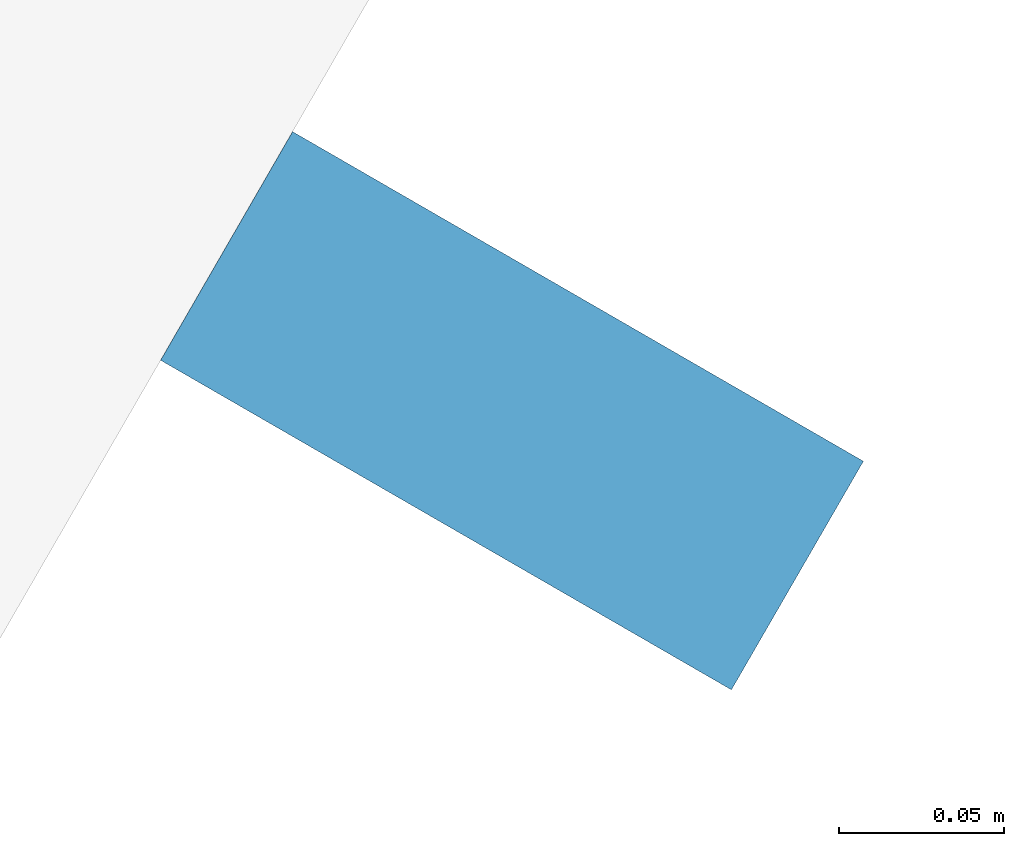
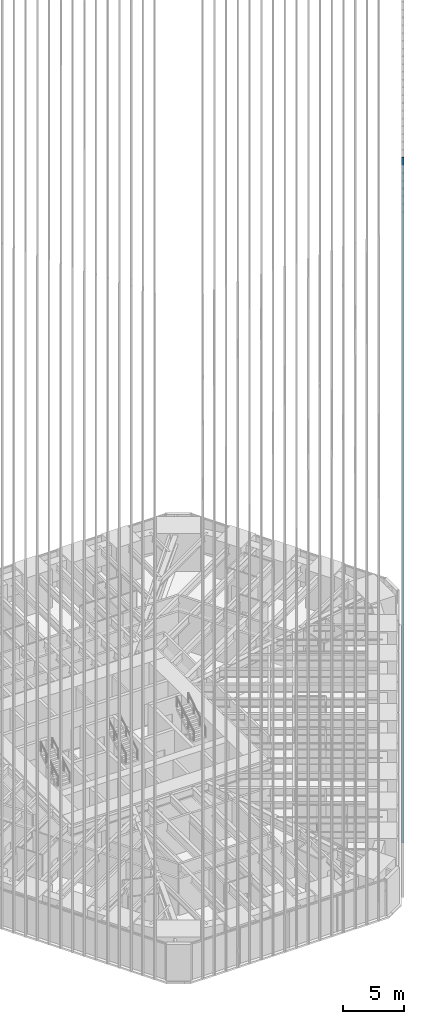
# One storey, part 91 of 256: 1 member, 1 element without a shape of its own.
"""IFC4 building model written with IfcOpenShell, lengths in metres."""

from ifc_helpers import new_model, si_unit, direction, frame, origin, origin_2d, place, context, subcontext, project, spatial, rectangle, extrude, material, material_profile, profile_set, type_object, element, aggregate, save


model = new_model("IFC4")

# Units and contexts
model_context = context("Model", 3, precision=1e-05, world=origin(), true_north=direction((0.0, 1.0)))
body_context = subcontext(model_context, "Body", "Model", "MODEL_VIEW")
ifc_project = project(units=[si_unit("LENGTHUNIT", "METRE"), si_unit("AREAUNIT", "SQUARE_METRE"), si_unit("VOLUMEUNIT", "CUBIC_METRE"), si_unit("PLANEANGLEUNIT", "RADIAN"), si_unit("MASSUNIT", "GRAM", prefix="KILO")], contexts=[model_context])

# Site, building, storey
site_placement = place(None, origin())
site = spatial("IfcSite", under=ifc_project, at=site_placement, CompositionType="ELEMENT")
building_placement = place(site_placement, origin())
building = spatial("IfcBuilding", under=site, at=building_placement, Name="Sandreach Pilgrim Tower", CompositionType="ELEMENT")
storey_placement = place(building_placement, frame((0.0, 0.0, 23.0)))
storey = spatial("IfcBuildingStorey", under=building, at=storey_placement, Name="L04", CompositionType="ELEMENT", Elevation=23.0)

# Curtain wall, member
ifc_material_1 = material(Name="Aluminium framed curtain wall", Category="aluminium")
curtain_wall_type = type_object("IfcCurtainWallType", Name="Hostel tower curtain wall", PredefinedType="NOTDEFINED", material=ifc_material_1)
curtain_wall_placement = place(storey_placement, origin())
curtain_wall = element("IfcCurtainWall", 1, at=curtain_wall_placement, inside=storey, type_object=curtain_wall_type, Name="CW-1 L04 SE", PredefinedType="NOTDEFINED")
ifc_material_2 = material(Name="Extruded terracotta on aluminium core", Category="masonry")
ifc_material_profile = material_profile(ifc_material_2, rectangle(XDim=0.080078125, YDim=0.199951171875, at=origin_2d()), Name="TBE 80X200")
ifc_profile_set = profile_set([ifc_material_profile], Name="Extruded terracotta on aluminium core")
member_type = type_object("IfcMemberType", Name="Terracotta baguette east", PredefinedType="USERDEFINED", material=ifc_profile_set)
member_placement = place(storey_placement, frame((15.557861328125, -21.750244140625, 0.0), z_axis=(0.0, 0.0, 1.0), x_axis=(-0.5, -0.866025403784, 0.0)))
member = element("IfcMember", 2, at=member_placement, type_object=member_type, Name="Baguette Z1 SE28", ObjectType="BAGUETTE", PredefinedType="USERDEFINED", context=body_context, shape_type="SweptSolid", body=[
    extrude(rectangle(XDim=0.080078125, YDim=0.199951171875, at=origin_2d()), origin(), (0.0, 0.0, 1.0), 68.239990234375),
])
aggregate(curtain_wall, [member])

save(model, "model.ifc")
